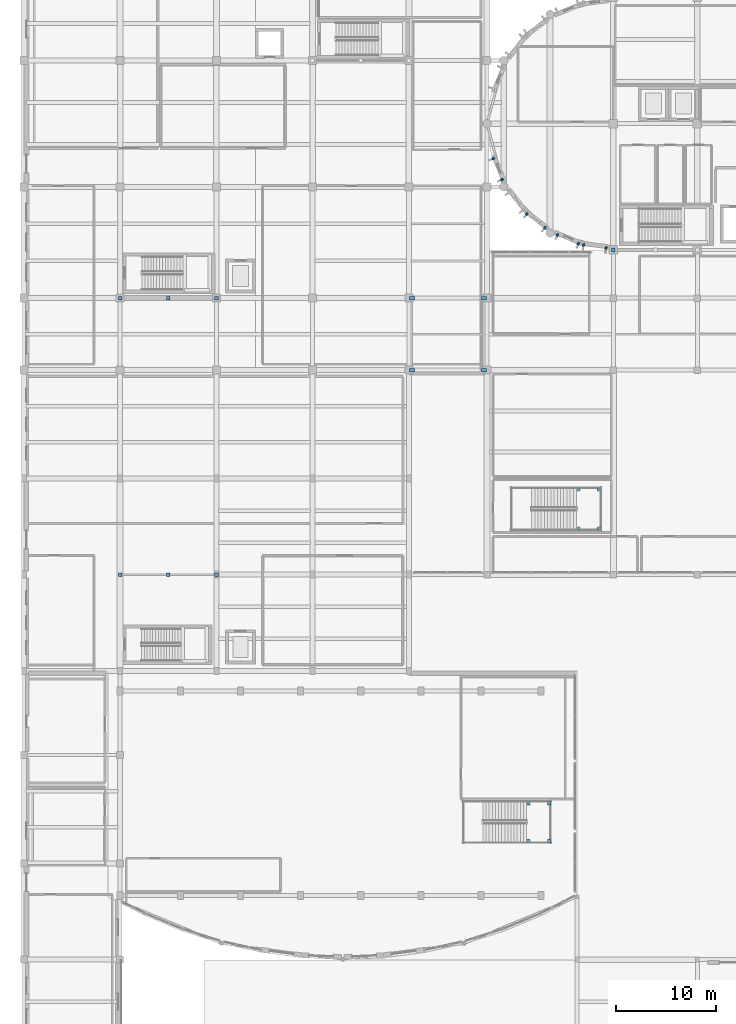
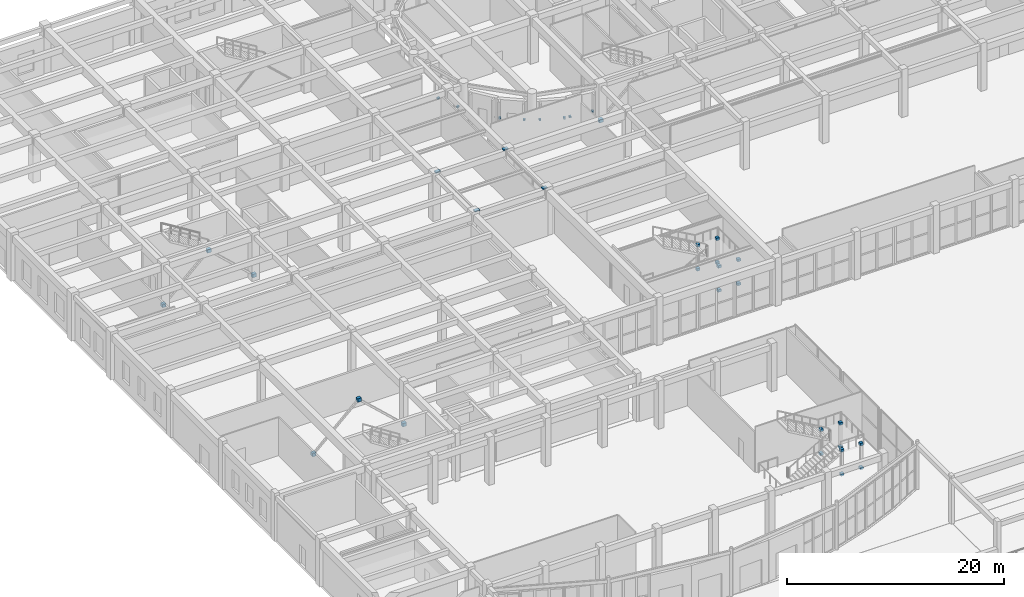
# One storey, part 80 of 98: 35 discrete accessories.
"""IFC4 building model written with IfcOpenShell, lengths in metres."""

from ifc_helpers import new_model, si_unit, direction, frame, origin, origin_2d, place, context, subcontext, project, spatial, rectangle, extrude, material, type_object, element, save


model = new_model("IFC4")

# Units and contexts
model_context = context("Model", 3, precision=1e-05, world=origin(), true_north=direction((0.0, 1.0)))
body_context = subcontext(model_context, "Body", "Model", "MODEL_VIEW")
ifc_project = project(units=[si_unit("LENGTHUNIT", "METRE"), si_unit("AREAUNIT", "SQUARE_METRE"), si_unit("VOLUMEUNIT", "CUBIC_METRE"), si_unit("PLANEANGLEUNIT", "RADIAN"), si_unit("MASSUNIT", "GRAM", prefix="KILO")], contexts=[model_context])

# Site, building, storey
site_placement = place(None, origin())
site = spatial("IfcSite", under=ifc_project, at=site_placement, CompositionType="ELEMENT")
building_placement = place(site_placement, origin())
building = spatial("IfcBuilding", under=site, at=building_placement, Name="Tarnavel Promenade Courthouse", CompositionType="ELEMENT")
storey_placement = place(building_placement, origin())
storey = spatial("IfcBuildingStorey", under=building, at=storey_placement, Name="L01", CompositionType="ELEMENT", Elevation=0.0)

# Discrete accessories
ifc_material = material(Name="Steel S355J2", Category="steel")
discrete_accessory_type_1 = type_object("IfcDiscreteAccessoryType", Name="Steel S355J2 Facade Pier Anchor Bracket", PredefinedType="BRACKET", material=ifc_material)
for number, where, z_axis, x_axis, name in (
    (1, (46.828857421875, 88.318603515625, 2.044921875), (0.0, 0.0, 1.0), (0.382683432365, -0.923879532511, 0.0), "L01 Drum Pier Bracket 0011"),
    (2, (47.6953125, 86.2265625, 2.044921875), (0.0, 0.0, 1.0), (0.382683432365, -0.923879532511, 0.0), "L01 Drum Pier Bracket 0012"),
    (3, (50.173583984375, 82.79931640625, 1.9951171875), (0.0, 0.0, 1.0), (0.793353340291, -0.608761429009, 0.0), "L01 Drum Pier Bracket 0015"),
    (4, (51.9697265625, 81.4208984375, 1.9951171875), (0.0, 0.0, 1.0), (0.793353340291, -0.608761429009, 0.0), "L01 Drum Pier Bracket 0016"),
    (5, (53.2265625, 80.6953125, 1.9951171875), (0.0, 0.0, 1.0), (0.923879532511, -0.382683432365, 0.0), "L01 Drum Pier Bracket 0017"),
    (6, (55.318603515625, 79.828857421875, 1.9951171875), (0.0, 0.0, 1.0), (0.923879532511, -0.382683432365, 0.0), "L01 Drum Pier Bracket 0018"),
    (7, (55.82958984375, 79.69189453125, 2.044921875), (0.0, 0.0, 1.0), (0.991444861374, -0.13052619222, 0.0), "L01 Drum Pier Bracket 0019"),
    (8, (58.074462890625, 79.396484375, 2.044921875), (0.0, 0.0, 1.0), (0.991444861374, -0.13052619222, 0.0), "L01 Drum Pier Bracket 0020"),
):
    element("IfcDiscreteAccessory", number, at=place(storey_placement, frame(where, z_axis=z_axis, x_axis=x_axis)), inside=storey, type_object=discrete_accessory_type_1, Name=name, PredefinedType="BRACKET", context=body_context, shape_type="SweptSolid", body=[
        extrude(rectangle(XDim=0.199951171875, YDim=0.260009765625, at=origin_2d()), origin(), (0.0, 0.0, 1.0), 0.179931640625),
    ])
discrete_accessory_type_2 = type_object("IfcDiscreteAccessoryType", Name="Steel S355J2 Structural Connection Bracket", PredefinedType="BRACKET", material=ifc_material)
for number, where, z_axis, x_axis, name in (
    (9, (38.699951171875, 67.199951171875, 5.1298828125), (0.0, 0.0, 1.0), (1.0, 0.0, 0.0), "Link Bridge BRW PTFE Sliding Bearing W"),
    (10, (45.89990234375, 67.199951171875, 5.1298828125), (0.0, 0.0, 1.0), (1.0, 0.0, 0.0), "Link Bridge BRW PTFE Sliding Bearing E"),
    (11, (38.699951171875, 74.39990234375, 5.1298828125), (0.0, 0.0, 1.0), (1.0, 0.0, 0.0), "Link Bridge BRW PTFE Sliding Bearing W"),
    (12, (45.89990234375, 74.39990234375, 5.1298828125), (0.0, 0.0, 1.0), (1.0, 0.0, 0.0), "Link Bridge BRW PTFE Sliding Bearing E"),
):
    element("IfcDiscreteAccessory", number, at=place(storey_placement, frame(where, z_axis=z_axis, x_axis=x_axis)), inside=storey, type_object=discrete_accessory_type_2, Name=name, PredefinedType="BRACKET", context=body_context, shape_type="SweptSolid", body=[
        extrude(rectangle(XDim=0.5, YDim=0.360107421875, at=origin_2d()), origin(), (0.0, 0.0, 1.0), 0.1201171875),
    ])
for number, where, z_axis, x_axis, name in (
    (13, (58.800048828125, 79.199951171875, 0.80517578125), (0.0, 0.0, 1.0), (1.0, 0.0, 0.0), "L01 V5 Chevron Brace Gusset Node 002-L"),
    (14, (9.60009765625, 74.39990234375, 0.205078125), (0.0, 0.0, 1.0), (1.0, 0.0, 0.0), "L01 V2 Chevron Brace Gusset Node 029-L"),
    (15, (14.39990234375, 74.39990234375, 4.655029296875), (0.0, 0.0, 1.0), (1.0, 0.0, 0.0), "L01 V2 Chevron Brace Gusset Node 029-M"),
    (16, (19.199951171875, 74.39990234375, 0.205078125), (0.0, 0.0, 1.0), (1.0, 0.0, 0.0), "L01 V2 Chevron Brace Gusset Node 029-R"),
    (17, (9.60009765625, 46.800048828125, 0.205078125), (0.0, 0.0, 1.0), (1.0, 0.0, 0.0), "L01 V3 Chevron Brace Gusset Node 043-L"),
    (18, (14.39990234375, 46.800048828125, 4.655029296875), (0.0, 0.0, 1.0), (1.0, 0.0, 0.0), "L01 V3 Chevron Brace Gusset Node 043-M"),
    (19, (19.199951171875, 46.800048828125, 0.205078125), (0.0, 0.0, 1.0), (1.0, 0.0, 0.0), "L01 V3 Chevron Brace Gusset Node 043-R"),
):
    element("IfcDiscreteAccessory", number, at=place(storey_placement, frame(where, z_axis=z_axis, x_axis=x_axis)), inside=storey, type_object=discrete_accessory_type_2, Name=name, PredefinedType="BRACKET", context=body_context, shape_type="SweptSolid", body=[
        extrude(rectangle(XDim=0.3798828125, YDim=0.360107421875, at=origin_2d()), origin(), (0.0, 0.0, 1.0), 0.3798828125),
    ])
for number, where, z_axis, x_axis, name in (
    (20, (50.340087890625, 20.199951171875, -0.14013671875), (0.0, 0.0, 1.0), (1.0, 0.0, 0.0), "L01 ST-09 Stair Landing Post Node 1-B"),
    (21, (50.340087890625, 20.199951171875, 2.56005859375), (0.0, 0.0, 1.0), (1.0, 0.0, 0.0), "L01 ST-09 Stair Landing Post Node 1-T"),
    (22, (52.39990234375, 20.199951171875, -0.14013671875), (0.0, 0.0, 1.0), (1.0, 0.0, 0.0), "L01 ST-09 Stair Landing Post Node 2-B"),
    (23, (52.39990234375, 20.199951171875, 2.56005859375), (0.0, 0.0, 1.0), (1.0, 0.0, 0.0), "L01 ST-09 Stair Landing Post Node 2-T"),
    (24, (50.340087890625, 24.0, -0.14013671875), (0.0, 0.0, 1.0), (1.0, 0.0, 0.0), "L01 ST-09 Stair Landing Post Node 3-B"),
    (25, (50.340087890625, 24.0, 2.56005859375), (0.0, 0.0, 1.0), (1.0, 0.0, 0.0), "L01 ST-09 Stair Landing Post Node 3-T"),
    (26, (52.39990234375, 24.0, -0.14013671875), (0.0, 0.0, 1.0), (1.0, 0.0, 0.0), "L01 ST-09 Stair Landing Post Node 4-B"),
    (27, (52.39990234375, 24.0, 2.56005859375), (0.0, 0.0, 1.0), (1.0, 0.0, 0.0), "L01 ST-09 Stair Landing Post Node 4-T"),
    (28, (55.330078125, 51.39990234375, -0.14013671875), (0.0, 0.0, 1.0), (1.0, 0.0, 0.0), "L01 ST-10 Stair Landing Post Node 1-B"),
    (29, (55.330078125, 51.39990234375, 2.56005859375), (0.0, 0.0, 1.0), (1.0, 0.0, 0.0), "L01 ST-10 Stair Landing Post Node 1-T"),
    (30, (57.39990234375, 51.39990234375, -0.14013671875), (0.0, 0.0, 1.0), (1.0, 0.0, 0.0), "L01 ST-10 Stair Landing Post Node 2-B"),
    (31, (57.39990234375, 51.39990234375, 2.56005859375), (0.0, 0.0, 1.0), (1.0, 0.0, 0.0), "L01 ST-10 Stair Landing Post Node 2-T"),
    (32, (55.330078125, 55.300048828125, -0.14013671875), (0.0, 0.0, 1.0), (1.0, 0.0, 0.0), "L01 ST-10 Stair Landing Post Node 3-B"),
    (33, (55.330078125, 55.300048828125, 2.56005859375), (0.0, 0.0, 1.0), (1.0, 0.0, 0.0), "L01 ST-10 Stair Landing Post Node 3-T"),
    (34, (57.39990234375, 55.300048828125, -0.14013671875), (0.0, 0.0, 1.0), (1.0, 0.0, 0.0), "L01 ST-10 Stair Landing Post Node 4-B"),
    (35, (57.39990234375, 55.300048828125, 2.56005859375), (0.0, 0.0, 1.0), (1.0, 0.0, 0.0), "L01 ST-10 Stair Landing Post Node 4-T"),
):
    element("IfcDiscreteAccessory", number, at=place(storey_placement, frame(where, z_axis=z_axis, x_axis=x_axis)), inside=storey, type_object=discrete_accessory_type_2, Name=name, PredefinedType="BRACKET", context=body_context, shape_type="SweptSolid", body=[
        extrude(rectangle(XDim=0.320068359375, YDim=0.320068359375, at=origin_2d()), origin(), (0.0, 0.0, 1.0), 0.280029296875),
    ])

save(model, "model.ifc")
